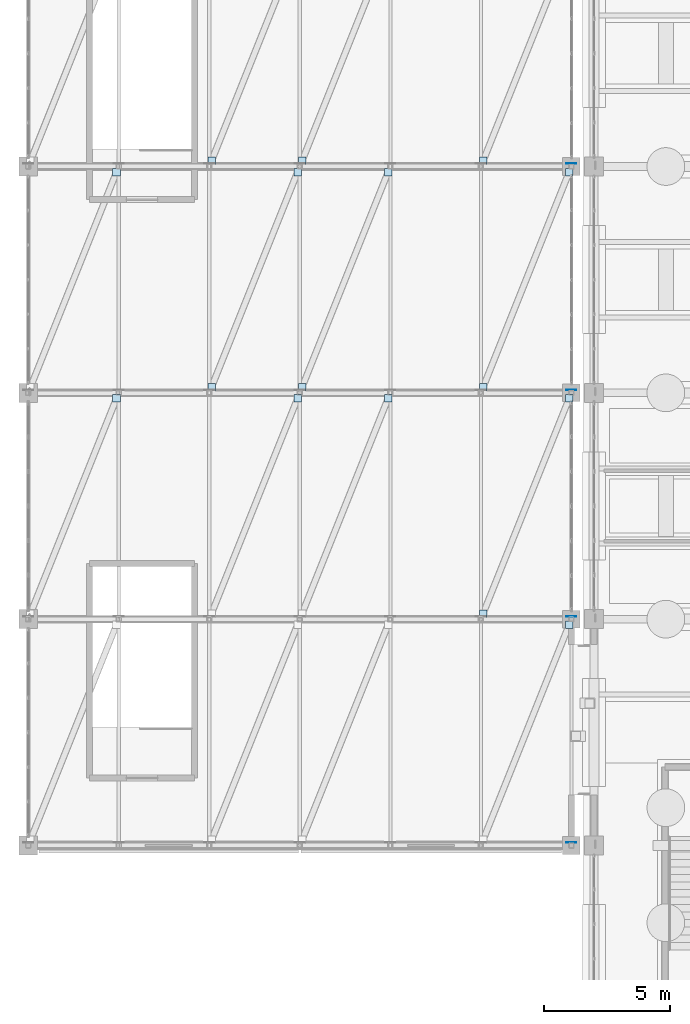
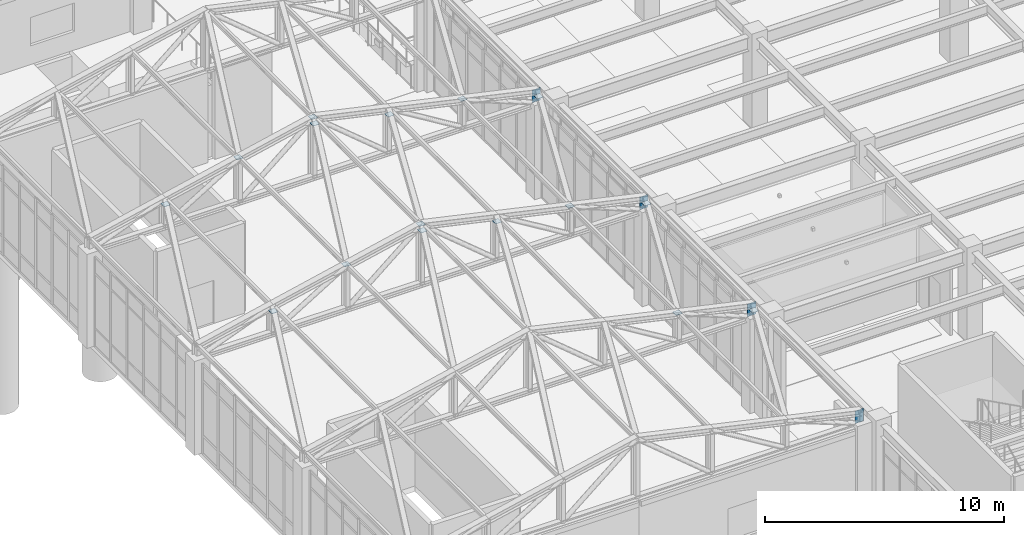
# One storey, part 108 of 139: 20 plates.
"""IFC4 building model written with IfcOpenShell, lengths in metres."""

from ifc_helpers import new_model, si_unit, direction, frame, origin, origin_2d, place, context, subcontext, project, spatial, rectangle, extrude, material, layer, layer_set, type_object, element, save


model = new_model("IFC4")

# Units and contexts
model_context = context("Model", 3, precision=1e-05, world=origin(), true_north=direction((0.0, 1.0)))
body_context = subcontext(model_context, "Body", "Model", "MODEL_VIEW")
ifc_project = project(units=[si_unit("LENGTHUNIT", "METRE"), si_unit("AREAUNIT", "SQUARE_METRE"), si_unit("VOLUMEUNIT", "CUBIC_METRE"), si_unit("PLANEANGLEUNIT", "RADIAN"), si_unit("MASSUNIT", "GRAM", prefix="KILO")], contexts=[model_context])

# Site, building, storey
site_placement = place(None, origin())
site = spatial("IfcSite", under=ifc_project, at=site_placement, CompositionType="ELEMENT")
building_placement = place(site_placement, origin())
building = spatial("IfcBuilding", under=site, at=building_placement, Name="Canglan Escarpment Cableway Terminal", CompositionType="ELEMENT")
storey_placement = place(building_placement, frame((0.0, 0.0, 14.39990234375)))
storey = spatial("IfcBuildingStorey", under=building, at=storey_placement, Name="L03", CompositionType="ELEMENT", Elevation=14.39990234375)

# Plates
ifc_material = material(Name="Steel Q355B", Category="steel")
ifc_layer_1 = layer(ifc_material, 0.01611328125, Name="Steel Q355B")
ifc_layer_set_1 = layer_set([ifc_layer_1], Name="Steel Q355B")
plate_type_1 = type_object("IfcPlateType", Name="PLT-GUSSET-16", PredefinedType="USERDEFINED", material=ifc_layer_set_1)
for number, where, z_axis, x_axis, name in (
    (1, (136.61083984375, 51.777099609375, 5.112060546875), (0.0, 0.0, 1.0), (1.0, 0.0, 0.0), "Cabin Garage roof brace end gusset plate GP-03"),
    (2, (118.61083984375, 60.777099609375, 5.912109375), (0.0, 0.0, 1.0), (1.0, 0.0, 0.0), "Cabin Garage roof brace end gusset plate GP-03"),
    (3, (125.810791015625, 60.777099609375, 7.511962890625), (0.0, 0.0, 1.0), (1.0, 0.0, 0.0), "Cabin Garage roof brace end gusset plate GP-03"),
    (4, (129.410888671875, 60.777099609375, 6.712158203125), (0.0, 0.0, 1.0), (1.0, 0.0, 0.0), "Cabin Garage roof brace end gusset plate GP-03"),
    (5, (133.189208984375, 52.222900390625, 5.912109375), (0.0, 0.0, 1.0), (1.0, 0.0, 0.0), "Cabin Garage roof brace end gusset plate GP-03"),
    (6, (136.61083984375, 60.777099609375, 5.112060546875), (0.0, 0.0, 1.0), (1.0, 0.0, 0.0), "Cabin Garage roof brace end gusset plate GP-03"),
    (7, (118.61083984375, 69.777099609375, 5.912109375), (0.0, 0.0, 1.0), (1.0, 0.0, 0.0), "Cabin Garage roof brace end gusset plate GP-03"),
    (8, (122.38916015625, 61.222900390625, 6.712158203125), (0.0, 0.0, 1.0), (1.0, 0.0, 0.0), "Cabin Garage roof brace end gusset plate GP-03"),
    (9, (125.810791015625, 69.777099609375, 7.511962890625), (0.0, 0.0, 1.0), (1.0, 0.0, 0.0), "Cabin Garage roof brace end gusset plate GP-03"),
    (10, (125.989013671875, 61.222900390625, 7.511962890625), (0.0, 0.0, 1.0), (1.0, 0.0, 0.0), "Cabin Garage roof brace end gusset plate GP-03"),
    (11, (129.410888671875, 69.777099609375, 6.712158203125), (0.0, 0.0, 1.0), (1.0, 0.0, 0.0), "Cabin Garage roof brace end gusset plate GP-03"),
    (12, (133.189208984375, 61.222900390625, 5.912109375), (0.0, 0.0, 1.0), (1.0, 0.0, 0.0), "Cabin Garage roof brace end gusset plate GP-03"),
    (13, (136.61083984375, 69.777099609375, 5.112060546875), (0.0, 0.0, 1.0), (1.0, 0.0, 0.0), "Cabin Garage roof brace end gusset plate GP-03"),
    (14, (122.38916015625, 70.222900390625, 6.712158203125), (0.0, 0.0, 1.0), (1.0, 0.0, 0.0), "Cabin Garage roof brace end gusset plate GP-03"),
    (15, (125.989013671875, 70.222900390625, 7.511962890625), (0.0, 0.0, 1.0), (1.0, 0.0, 0.0), "Cabin Garage roof brace end gusset plate GP-03"),
    (16, (133.189208984375, 70.222900390625, 5.912109375), (0.0, 0.0, 1.0), (1.0, 0.0, 0.0), "Cabin Garage roof brace end gusset plate GP-03"),
):
    element("IfcPlate", number, at=place(storey_placement, frame(where, z_axis=z_axis, x_axis=x_axis)), inside=storey, type_object=plate_type_1, Name=name, ObjectType="GUSSET PLATE", PredefinedType="USERDEFINED", context=body_context, shape_type="SweptSolid", body=[
        extrude(rectangle(XDim=0.300048828125, YDim=0.300048828125, at=origin_2d()), origin(), (0.0, 0.0, 1.0), 0.01611328125),
    ])
ifc_layer_2 = layer(ifc_material, 0.02001953125, Name="Steel Q355B")
ifc_layer_set_2 = layer_set([ifc_layer_2], Name="Steel Q355B")
plate_type_2 = type_object("IfcPlateType", Name="PLT-GUSSET-20", PredefinedType="USERDEFINED", material=ifc_layer_set_2)
for number, where, z_axis, x_axis, name in (
    (17, (136.699951171875, 43.114990234375, 4.63037109375), (0.0, 0.0, 1.0), (1.0, 0.0, 0.0), "Pratt truss gusset plate GP-02"),
    (18, (136.699951171875, 52.114990234375, 4.63037109375), (0.0, 0.0, 1.0), (1.0, 0.0, 0.0), "Pratt truss gusset plate GP-02"),
    (19, (136.699951171875, 61.114990234375, 4.63037109375), (0.0, 0.0, 1.0), (1.0, 0.0, 0.0), "Pratt truss gusset plate GP-02"),
    (20, (136.699951171875, 70.114990234375, 4.63037109375), (0.0, 0.0, 1.0), (1.0, 0.0, 0.0), "Pratt truss gusset plate GP-02"),
):
    element("IfcPlate", number, at=place(storey_placement, frame(where, z_axis=z_axis, x_axis=x_axis)), inside=storey, type_object=plate_type_2, Name=name, ObjectType="GUSSET PLATE", PredefinedType="USERDEFINED", context=body_context, shape_type="SweptSolid", body=[
        extrude(rectangle(XDim=0.39990234375, YDim=0.02001953125, at=origin_2d()), origin(), (0.0, 0.0, 1.0), 0.639892578125),
    ])

save(model, "model.ifc")
